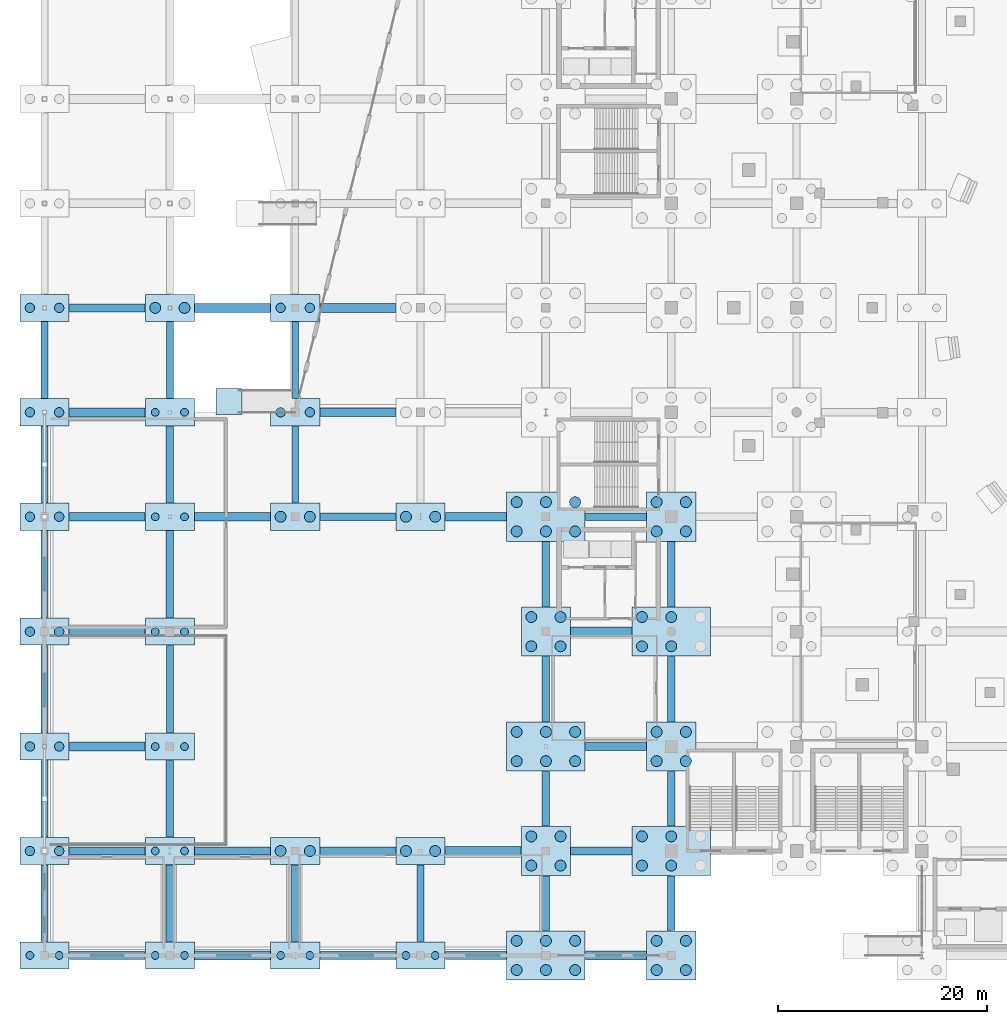
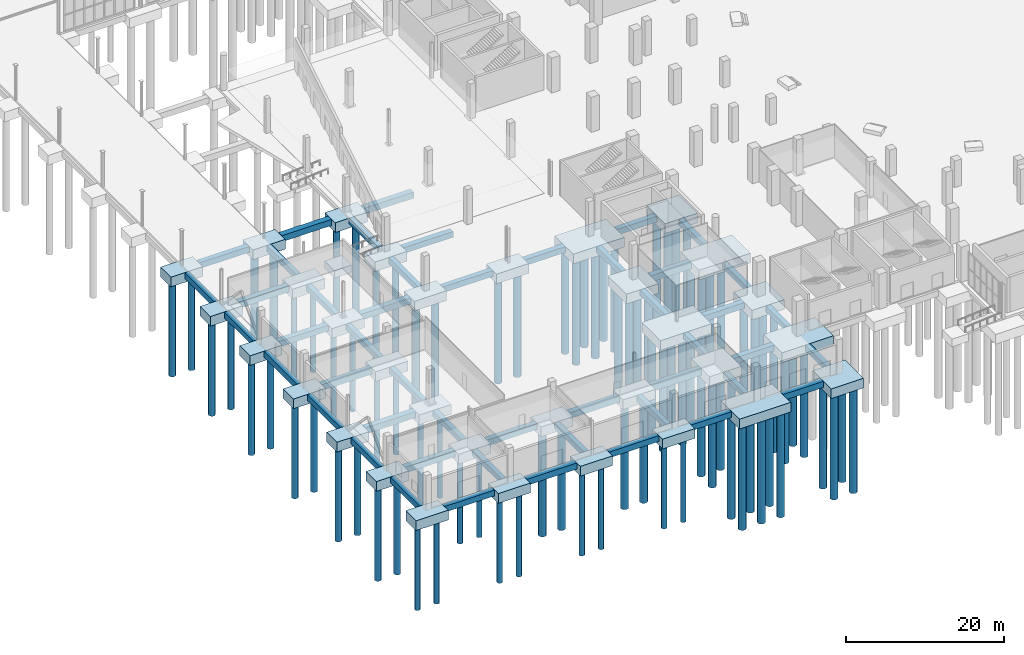
# One storey, part 1 of 70: 90 piles, 81 footings.
"""IFC4 building model written with IfcOpenShell, lengths in metres."""

from ifc_helpers import new_model, si_unit, direction, frame, origin, origin_2d, place, context, subcontext, project, spatial, rectangle, circle, extrude, material, layer, layer_set, material_profile, profile_set, type_object, element, save


model = new_model("IFC4")

# Units and contexts
model_context = context("Model", 3, precision=1e-05, world=origin(), true_north=direction((0.0, 1.0)))
body_context = subcontext(model_context, "Body", "Model", "MODEL_VIEW")
ifc_project = project(units=[si_unit("LENGTHUNIT", "METRE"), si_unit("AREAUNIT", "SQUARE_METRE"), si_unit("VOLUMEUNIT", "CUBIC_METRE"), si_unit("PLANEANGLEUNIT", "RADIAN"), si_unit("MASSUNIT", "GRAM", prefix="KILO")], contexts=[model_context])

# Site, building, storey
site_placement = place(None, origin())
site = spatial("IfcSite", under=ifc_project, at=site_placement, CompositionType="ELEMENT")
building_placement = place(site_placement, origin())
building = spatial("IfcBuilding", under=site, at=building_placement, Name="Brinegate Civic Arena", CompositionType="ELEMENT")
storey_placement = place(building_placement, origin())
storey = spatial("IfcBuildingStorey", under=building, at=storey_placement, Name="L00", CompositionType="ELEMENT", Elevation=0.0)

# Footings
ifc_material = material(Name="Concrete C40/50", Category="concrete")
ifc_layer_1 = layer(ifc_material, 1.5, Name="Concrete C40/50")
ifc_layer_set_1 = layer_set([ifc_layer_1], Name="Concrete C40/50")
footing_type_1 = type_object("IfcFootingType", Name="CAP-2PILE-3800", PredefinedType="PILE_CAP", material=ifc_layer_set_1)
for number, where, z_axis, x_axis, name in (
    (1, (0.0, 0.0, -1.800048828125), (0.0, 0.0, 1.0), (1.0, 0.0, 0.0), "Pile Cap CAP-001 (1-A)"),
    (2, (0.0, 10.0, -1.800048828125), (0.0, 0.0, 1.0), (1.0, 0.0, 0.0), "Pile Cap CAP-002 (1-B)"),
    (3, (0.0, 20.0, -1.800048828125), (0.0, 0.0, 1.0), (1.0, 0.0, 0.0), "Pile Cap CAP-003 (1-C)"),
    (4, (0.0, 31.0, -1.800048828125), (0.0, 0.0, 1.0), (1.0, 0.0, 0.0), "Pile Cap CAP-004 (1-D)"),
    (5, (0.0, 42.0, -1.800048828125), (0.0, 0.0, 1.0), (1.0, 0.0, 0.0), "Pile Cap CAP-005 (1-E)"),
    (6, (0.0, 52.0, -1.800048828125), (0.0, 0.0, 1.0), (1.0, 0.0, 0.0), "Pile Cap CAP-006 (1-F)"),
    (7, (0.0, 62.0, -1.800048828125), (0.0, 0.0, 1.0), (1.0, 0.0, 0.0), "Pile Cap CAP-007 (1-G)"),
    (8, (12.0, 0.0, -1.800048828125), (0.0, 0.0, 1.0), (1.0, 0.0, 0.0), "Pile Cap CAP-014 (2-A)"),
    (9, (12.0, 10.0, -1.800048828125), (0.0, 0.0, 1.0), (1.0, 0.0, 0.0), "Pile Cap CAP-015 (2-B)"),
    (10, (12.0, 20.0, -1.800048828125), (0.0, 0.0, 1.0), (1.0, 0.0, 0.0), "Pile Cap CAP-016 (2-C)"),
    (11, (12.0, 31.0, -1.800048828125), (0.0, 0.0, 1.0), (1.0, 0.0, 0.0), "Pile Cap CAP-017 (2-D)"),
    (12, (12.0, 42.0, -1.800048828125), (0.0, 0.0, 1.0), (1.0, 0.0, 0.0), "Pile Cap CAP-018 (2-E)"),
    (13, (12.0, 52.0, -1.800048828125), (0.0, 0.0, 1.0), (1.0, 0.0, 0.0), "Pile Cap CAP-019 (2-F)"),
    (14, (12.0, 62.0, -1.800048828125), (0.0, 0.0, 1.0), (1.0, 0.0, 0.0), "Pile Cap CAP-020 (2-G)"),
    (15, (24.0, 0.0, -1.800048828125), (0.0, 0.0, 1.0), (1.0, 0.0, 0.0), "Pile Cap CAP-027 (3-A)"),
    (16, (24.0, 10.0, -1.800048828125), (0.0, 0.0, 1.0), (1.0, 0.0, 0.0), "Pile Cap CAP-028 (3-B)"),
    (17, (24.0, 42.0, -1.800048828125), (0.0, 0.0, 1.0), (1.0, 0.0, 0.0), "Pile Cap CAP-029 (3-E)"),
    (18, (24.0, 52.0, -1.800048828125), (0.0, 0.0, 1.0), (1.0, 0.0, 0.0), "Pile Cap CAP-030 (3-F)"),
    (19, (24.0, 62.0, -1.800048828125), (0.0, 0.0, 1.0), (1.0, 0.0, 0.0), "Pile Cap CAP-031 (3-G)"),
    (20, (36.0, 0.0, -1.800048828125), (0.0, 0.0, 1.0), (1.0, 0.0, 0.0), "Pile Cap CAP-037 (4-A)"),
    (21, (36.0, 10.0, -1.800048828125), (0.0, 0.0, 1.0), (1.0, 0.0, 0.0), "Pile Cap CAP-038 (4-B)"),
    (22, (36.0, 42.0, -1.800048828125), (0.0, 0.0, 1.0), (1.0, 0.0, 0.0), "Pile Cap CAP-039 (4-E)"),
):
    element("IfcFooting", number, at=place(storey_placement, frame(where, z_axis=z_axis, x_axis=x_axis)), inside=storey, type_object=footing_type_1, Name=name, PredefinedType="PILE_CAP", context=body_context, shape_type="SweptSolid", body=[
        extrude(rectangle(XDim=4.699951171875, YDim=2.60009765625, at=origin_2d()), origin(), (0.0, 0.0, 1.0), 1.5),
    ])
ifc_layer_2 = layer(ifc_material, 1.5, Name="Concrete C40/50")
ifc_layer_set_2 = layer_set([ifc_layer_2], Name="Concrete C40/50")
footing_type_2 = type_object("IfcFootingType", Name="CAP-4PILE-3800", PredefinedType="PILE_CAP", material=ifc_layer_set_2)
for number, where, z_axis, x_axis, name in (
    (23, (48.0, 10.0, -1.800048828125), (0.0, 0.0, 1.0), (1.0, 0.0, 0.0), "Pile Cap CAP-048 (5-B)"),
    (24, (48.0, 31.0, -1.800048828125), (0.0, 0.0, 1.0), (1.0, 0.0, 0.0), "Pile Cap CAP-050 (5-D)"),
    (25, (60.0, 0.0, -1.800048828125), (0.0, 0.0, 1.0), (1.0, 0.0, 0.0), "Pile Cap CAP-060 (6-A)"),
    (26, (60.0, 20.0, -1.800048828125), (0.0, 0.0, 1.0), (1.0, 0.0, 0.0), "Pile Cap CAP-062 (6-C)"),
    (27, (60.0, 42.0, -1.800048828125), (0.0, 0.0, 1.0), (1.0, 0.0, 0.0), "Pile Cap CAP-064 (6-E)"),
):
    element("IfcFooting", number, at=place(storey_placement, frame(where, z_axis=z_axis, x_axis=x_axis)), inside=storey, type_object=footing_type_2, Name=name, PredefinedType="PILE_CAP", context=body_context, shape_type="SweptSolid", body=[
        extrude(rectangle(XDim=4.699951171875, YDim=4.699951171875, at=origin_2d()), origin(), (0.0, 0.0, 1.0), 1.5),
    ])
ifc_layer_3 = layer(ifc_material, 1.5, Name="Concrete C40/50")
ifc_layer_set_3 = layer_set([ifc_layer_3], Name="Concrete C40/50")
footing_type_3 = type_object("IfcFootingType", Name="CAP-6PILE-5400", PredefinedType="PILE_CAP", material=ifc_layer_set_3)
for number, where, z_axis, x_axis, name in (
    (28, (48.0, 0.0, -1.800048828125), (0.0, 0.0, 1.0), (1.0, 0.0, 0.0), "Pile Cap CAP-047 (5-A)"),
    (29, (48.0, 20.0, -1.800048828125), (0.0, 0.0, 1.0), (1.0, 0.0, 0.0), "Pile Cap CAP-049 (5-C)"),
    (30, (48.0, 42.0, -1.800048828125), (0.0, 0.0, 1.0), (1.0, 0.0, 0.0), "Pile Cap CAP-051 (5-E)"),
    (31, (60.0, 10.0, -1.800048828125), (0.0, 0.0, 1.0), (1.0, 0.0, 0.0), "Pile Cap CAP-061 (6-B)"),
    (32, (60.0, 31.0, -1.800048828125), (0.0, 0.0, 1.0), (1.0, 0.0, 0.0), "Pile Cap CAP-063 (6-D)"),
):
    element("IfcFooting", number, at=place(storey_placement, frame(where, z_axis=z_axis, x_axis=x_axis)), inside=storey, type_object=footing_type_3, Name=name, PredefinedType="PILE_CAP", context=body_context, shape_type="SweptSolid", body=[
        extrude(rectangle(XDim=7.5, YDim=4.699951171875, at=origin_2d()), origin(), (0.0, 0.0, 1.0), 1.5),
    ])
ifc_layer_4 = layer(ifc_material, 1.14990234375, Name="Concrete C40/50")
ifc_layer_set_4 = layer_set([ifc_layer_4], Name="Concrete C40/50")
footing_type_4 = type_object("IfcFootingType", Name="PAD-FOOT-2500", PredefinedType="PAD_FOOTING", material=ifc_layer_set_4)
footing_1_placement = place(storey_placement, frame((17.64990234375, 53.050048828125, -1.598876953125), z_axis=(0.0, 0.0, 1.0), x_axis=(1.0, 0.0, 0.0)))
element("IfcFooting", 33, at=footing_1_placement, inside=storey, type_object=footing_type_4, Name="Ramp Toe Pad Footing PAD-033", PredefinedType="PAD_FOOTING", context=body_context, shape_type="SweptSolid", body=[
    extrude(rectangle(XDim=2.5, YDim=2.5, at=origin_2d()), origin(), (0.0, 0.0, 1.0), 1.14990234375),
])

# Piles
ifc_material_profile_1 = material_profile(ifc_material, circle(Radius=0.52490234375, at=origin_2d()), Name="PILED1050")
ifc_profile_set_1 = profile_set([ifc_material_profile_1], Name="Concrete C40/50")
pile_type_1 = type_object("IfcPileType", Name="PILE-BORED-1050", PredefinedType="BORED", material=ifc_profile_set_1)
for number, where, z_axis, x_axis, name in (
    (34, (10.60009765625, 62.0, -1.699951171875), (0.0, 0.0, -1.0), (1.0, 0.0, 0.0), "Bored Socket Pile PIL-0039"),
    (35, (13.39990234375, 62.0, -1.699951171875), (0.0, 0.0, -1.0), (1.0, 0.0, 0.0), "Bored Socket Pile PIL-0040"),
    (36, (22.60009765625, 10.0, -1.699951171875), (0.0, 0.0, -1.0), (1.0, 0.0, 0.0), "Bored Socket Pile PIL-0055"),
    (37, (25.39990234375, 10.0, -1.699951171875), (0.0, 0.0, -1.0), (1.0, 0.0, 0.0), "Bored Socket Pile PIL-0056"),
    (38, (22.60009765625, 42.0, -1.699951171875), (0.0, 0.0, -1.0), (1.0, 0.0, 0.0), "Bored Socket Pile PIL-0057"),
    (39, (25.39990234375, 42.0, -1.699951171875), (0.0, 0.0, -1.0), (1.0, 0.0, 0.0), "Bored Socket Pile PIL-0058"),
    (40, (34.60009765625, 10.0, -1.699951171875), (0.0, 0.0, -1.0), (1.0, 0.0, 0.0), "Bored Socket Pile PIL-0075"),
    (41, (37.39990234375, 10.0, -1.699951171875), (0.0, 0.0, -1.0), (1.0, 0.0, 0.0), "Bored Socket Pile PIL-0076"),
    (42, (34.60009765625, 42.0, -1.699951171875), (0.0, 0.0, -1.0), (1.0, 0.0, 0.0), "Bored Socket Pile PIL-0077"),
    (43, (37.39990234375, 42.0, -1.699951171875), (0.0, 0.0, -1.0), (1.0, 0.0, 0.0), "Bored Socket Pile PIL-0078"),
    (44, (45.199951171875, -1.39990234375, -1.699951171875), (0.0, 0.0, -1.0), (1.0, 0.0, 0.0), "Bored Socket Pile PIL-0093"),
    (45, (48.0, -1.39990234375, -1.699951171875), (0.0, 0.0, -1.0), (1.0, 0.0, 0.0), "Bored Socket Pile PIL-0094"),
    (46, (50.800048828125, -1.39990234375, -1.699951171875), (0.0, 0.0, -1.0), (1.0, 0.0, 0.0), "Bored Socket Pile PIL-0095"),
    (47, (45.199951171875, 1.39990234375, -1.699951171875), (0.0, 0.0, -1.0), (1.0, 0.0, 0.0), "Bored Socket Pile PIL-0096"),
    (48, (48.0, 1.39990234375, -1.699951171875), (0.0, 0.0, -1.0), (1.0, 0.0, 0.0), "Bored Socket Pile PIL-0097"),
    (49, (50.800048828125, 1.39990234375, -1.699951171875), (0.0, 0.0, -1.0), (1.0, 0.0, 0.0), "Bored Socket Pile PIL-0098"),
    (50, (46.60009765625, 8.60009765625, -1.699951171875), (0.0, 0.0, -1.0), (1.0, 0.0, 0.0), "Bored Socket Pile PIL-0099"),
    (51, (49.39990234375, 8.60009765625, -1.699951171875), (0.0, 0.0, -1.0), (1.0, 0.0, 0.0), "Bored Socket Pile PIL-0100"),
    (52, (46.60009765625, 11.39990234375, -1.699951171875), (0.0, 0.0, -1.0), (1.0, 0.0, 0.0), "Bored Socket Pile PIL-0101"),
    (53, (49.39990234375, 11.39990234375, -1.699951171875), (0.0, 0.0, -1.0), (1.0, 0.0, 0.0), "Bored Socket Pile PIL-0102"),
    (54, (45.199951171875, 18.60009765625, -1.699951171875), (0.0, 0.0, -1.0), (1.0, 0.0, 0.0), "Bored Socket Pile PIL-0103"),
    (55, (48.0, 18.60009765625, -1.699951171875), (0.0, 0.0, -1.0), (1.0, 0.0, 0.0), "Bored Socket Pile PIL-0104"),
    (56, (50.800048828125, 18.60009765625, -1.699951171875), (0.0, 0.0, -1.0), (1.0, 0.0, 0.0), "Bored Socket Pile PIL-0105"),
    (57, (45.199951171875, 21.39990234375, -1.699951171875), (0.0, 0.0, -1.0), (1.0, 0.0, 0.0), "Bored Socket Pile PIL-0106"),
    (58, (48.0, 21.39990234375, -1.699951171875), (0.0, 0.0, -1.0), (1.0, 0.0, 0.0), "Bored Socket Pile PIL-0107"),
    (59, (50.800048828125, 21.39990234375, -1.699951171875), (0.0, 0.0, -1.0), (1.0, 0.0, 0.0), "Bored Socket Pile PIL-0108"),
    (60, (46.60009765625, 29.60009765625, -1.699951171875), (0.0, 0.0, -1.0), (1.0, 0.0, 0.0), "Bored Socket Pile PIL-0109"),
    (61, (49.39990234375, 29.60009765625, -1.699951171875), (0.0, 0.0, -1.0), (1.0, 0.0, 0.0), "Bored Socket Pile PIL-0110"),
    (62, (46.60009765625, 32.39990234375, -1.699951171875), (0.0, 0.0, -1.0), (1.0, 0.0, 0.0), "Bored Socket Pile PIL-0111"),
    (63, (49.39990234375, 32.39990234375, -1.699951171875), (0.0, 0.0, -1.0), (1.0, 0.0, 0.0), "Bored Socket Pile PIL-0112"),
    (64, (45.199951171875, 40.60009765625, -1.699951171875), (0.0, 0.0, -1.0), (1.0, 0.0, 0.0), "Bored Socket Pile PIL-0113"),
    (65, (48.0, 40.60009765625, -1.699951171875), (0.0, 0.0, -1.0), (1.0, 0.0, 0.0), "Bored Socket Pile PIL-0114"),
    (66, (50.800048828125, 40.60009765625, -1.699951171875), (0.0, 0.0, -1.0), (1.0, 0.0, 0.0), "Bored Socket Pile PIL-0115"),
    (67, (45.199951171875, 43.39990234375, -1.699951171875), (0.0, 0.0, -1.0), (1.0, 0.0, 0.0), "Bored Socket Pile PIL-0116"),
    (68, (48.0, 43.39990234375, -1.699951171875), (0.0, 0.0, -1.0), (1.0, 0.0, 0.0), "Bored Socket Pile PIL-0117"),
    (69, (50.800048828125, 43.39990234375, -1.699951171875), (0.0, 0.0, -1.0), (1.0, 0.0, 0.0), "Bored Socket Pile PIL-0118"),
    (70, (58.60009765625, -1.39990234375, -1.699951171875), (0.0, 0.0, -1.0), (1.0, 0.0, 0.0), "Bored Socket Pile PIL-0159"),
    (71, (61.39990234375, -1.39990234375, -1.699951171875), (0.0, 0.0, -1.0), (1.0, 0.0, 0.0), "Bored Socket Pile PIL-0160"),
    (72, (58.60009765625, 1.39990234375, -1.699951171875), (0.0, 0.0, -1.0), (1.0, 0.0, 0.0), "Bored Socket Pile PIL-0161"),
    (73, (61.39990234375, 1.39990234375, -1.699951171875), (0.0, 0.0, -1.0), (1.0, 0.0, 0.0), "Bored Socket Pile PIL-0162"),
    (74, (57.199951171875, 8.60009765625, -1.699951171875), (0.0, 0.0, -1.0), (1.0, 0.0, 0.0), "Bored Socket Pile PIL-0163"),
    (75, (60.0, 8.60009765625, -1.699951171875), (0.0, 0.0, -1.0), (1.0, 0.0, 0.0), "Bored Socket Pile PIL-0164"),
    (76, (57.199951171875, 11.39990234375, -1.699951171875), (0.0, 0.0, -1.0), (1.0, 0.0, 0.0), "Bored Socket Pile PIL-0166"),
    (77, (60.0, 11.39990234375, -1.699951171875), (0.0, 0.0, -1.0), (1.0, 0.0, 0.0), "Bored Socket Pile PIL-0167"),
    (78, (58.60009765625, 18.60009765625, -1.699951171875), (0.0, 0.0, -1.0), (1.0, 0.0, 0.0), "Bored Socket Pile PIL-0169"),
    (79, (61.39990234375, 18.60009765625, -1.699951171875), (0.0, 0.0, -1.0), (1.0, 0.0, 0.0), "Bored Socket Pile PIL-0170"),
    (80, (58.60009765625, 21.39990234375, -1.699951171875), (0.0, 0.0, -1.0), (1.0, 0.0, 0.0), "Bored Socket Pile PIL-0171"),
    (81, (61.39990234375, 21.39990234375, -1.699951171875), (0.0, 0.0, -1.0), (1.0, 0.0, 0.0), "Bored Socket Pile PIL-0172"),
    (82, (57.199951171875, 29.60009765625, -1.699951171875), (0.0, 0.0, -1.0), (1.0, 0.0, 0.0), "Bored Socket Pile PIL-0173"),
    (83, (60.0, 29.60009765625, -1.699951171875), (0.0, 0.0, -1.0), (1.0, 0.0, 0.0), "Bored Socket Pile PIL-0174"),
    (84, (57.199951171875, 32.39990234375, -1.699951171875), (0.0, 0.0, -1.0), (1.0, 0.0, 0.0), "Bored Socket Pile PIL-0176"),
    (85, (60.0, 32.39990234375, -1.699951171875), (0.0, 0.0, -1.0), (1.0, 0.0, 0.0), "Bored Socket Pile PIL-0177"),
    (86, (58.60009765625, 40.60009765625, -1.699951171875), (0.0, 0.0, -1.0), (1.0, 0.0, 0.0), "Bored Socket Pile PIL-0179"),
    (87, (61.39990234375, 40.60009765625, -1.699951171875), (0.0, 0.0, -1.0), (1.0, 0.0, 0.0), "Bored Socket Pile PIL-0180"),
    (88, (58.60009765625, 43.39990234375, -1.699951171875), (0.0, 0.0, -1.0), (1.0, 0.0, 0.0), "Bored Socket Pile PIL-0181"),
    (89, (61.39990234375, 43.39990234375, -1.699951171875), (0.0, 0.0, -1.0), (1.0, 0.0, 0.0), "Bored Socket Pile PIL-0182"),
):
    element("IfcPile", number, at=place(storey_placement, frame(where, z_axis=z_axis, x_axis=x_axis)), inside=storey, type_object=pile_type_1, Name=name, PredefinedType="BORED", context=body_context, shape_type="SweptSolid", body=[
        extrude(circle(Radius=0.52490234375, at=origin_2d()), origin(), (0.0, 0.0, 1.0), 16.300048828125),
    ])
ifc_material_profile_2 = material_profile(ifc_material, circle(Radius=0.375, at=origin_2d()), Name="PILED750")
ifc_profile_set_2 = profile_set([ifc_material_profile_2], Name="Concrete C40/50")
pile_type_2 = type_object("IfcPileType", Name="PILE-BORED-750", PredefinedType="BORED", material=ifc_profile_set_2)
for number, where, z_axis, x_axis, name in (
    (90, (-1.39990234375, 0.0, -1.699951171875), (0.0, 0.0, -1.0), (1.0, 0.0, 0.0), "Bored Socket Pile PIL-0001"),
    (91, (1.39990234375, 0.0, -1.699951171875), (0.0, 0.0, -1.0), (1.0, 0.0, 0.0), "Bored Socket Pile PIL-0002"),
    (92, (10.60009765625, 0.0, -1.699951171875), (0.0, 0.0, -1.0), (1.0, 0.0, 0.0), "Bored Socket Pile PIL-0027"),
    (93, (13.39990234375, 0.0, -1.699951171875), (0.0, 0.0, -1.0), (1.0, 0.0, 0.0), "Bored Socket Pile PIL-0028"),
    (94, (10.60009765625, 10.0, -1.699951171875), (0.0, 0.0, -1.0), (1.0, 0.0, 0.0), "Bored Socket Pile PIL-0029"),
    (95, (13.39990234375, 10.0, -1.699951171875), (0.0, 0.0, -1.0), (1.0, 0.0, 0.0), "Bored Socket Pile PIL-0030"),
    (96, (10.60009765625, 20.0, -1.699951171875), (0.0, 0.0, -1.0), (1.0, 0.0, 0.0), "Bored Socket Pile PIL-0031"),
    (97, (13.39990234375, 20.0, -1.699951171875), (0.0, 0.0, -1.0), (1.0, 0.0, 0.0), "Bored Socket Pile PIL-0032"),
    (98, (10.60009765625, 31.0, -1.699951171875), (0.0, 0.0, -1.0), (1.0, 0.0, 0.0), "Bored Socket Pile PIL-0033"),
    (99, (13.39990234375, 31.0, -1.699951171875), (0.0, 0.0, -1.0), (1.0, 0.0, 0.0), "Bored Socket Pile PIL-0034"),
    (100, (10.60009765625, 42.0, -1.699951171875), (0.0, 0.0, -1.0), (1.0, 0.0, 0.0), "Bored Socket Pile PIL-0035"),
    (101, (13.39990234375, 42.0, -1.699951171875), (0.0, 0.0, -1.0), (1.0, 0.0, 0.0), "Bored Socket Pile PIL-0036"),
    (102, (10.60009765625, 52.0, -1.699951171875), (0.0, 0.0, -1.0), (1.0, 0.0, 0.0), "Bored Socket Pile PIL-0037"),
    (103, (13.39990234375, 52.0, -1.699951171875), (0.0, 0.0, -1.0), (1.0, 0.0, 0.0), "Bored Socket Pile PIL-0038"),
    (104, (22.60009765625, 0.0, -1.699951171875), (0.0, 0.0, -1.0), (1.0, 0.0, 0.0), "Bored Socket Pile PIL-0053"),
    (105, (25.39990234375, 0.0, -1.699951171875), (0.0, 0.0, -1.0), (1.0, 0.0, 0.0), "Bored Socket Pile PIL-0054"),
    (106, (34.60009765625, 0.0, -1.699951171875), (0.0, 0.0, -1.0), (1.0, 0.0, 0.0), "Bored Socket Pile PIL-0073"),
    (107, (37.39990234375, 0.0, -1.699951171875), (0.0, 0.0, -1.0), (1.0, 0.0, 0.0), "Bored Socket Pile PIL-0074"),
):
    element("IfcPile", number, at=place(storey_placement, frame(where, z_axis=z_axis, x_axis=x_axis)), inside=storey, type_object=pile_type_2, Name=name, PredefinedType="BORED", context=body_context, shape_type="SweptSolid", body=[
        extrude(circle(Radius=0.375, at=origin_2d()), origin(), (0.0, 0.0, 1.0), 13.300048828125),
    ])
ifc_material_profile_3 = material_profile(ifc_material, circle(Radius=0.449951171875, at=origin_2d()), Name="PILED900")
ifc_profile_set_3 = profile_set([ifc_material_profile_3], Name="Concrete C40/50")
pile_type_3 = type_object("IfcPileType", Name="PILE-BORED-900", PredefinedType="BORED", material=ifc_profile_set_3)
for number, where, z_axis, x_axis, name in (
    (108, (-1.39990234375, 10.0, -1.699951171875), (0.0, 0.0, -1.0), (1.0, 0.0, 0.0), "Bored Socket Pile PIL-0003"),
    (109, (1.39990234375, 10.0, -1.699951171875), (0.0, 0.0, -1.0), (1.0, 0.0, 0.0), "Bored Socket Pile PIL-0004"),
    (110, (-1.39990234375, 20.0, -1.699951171875), (0.0, 0.0, -1.0), (1.0, 0.0, 0.0), "Bored Socket Pile PIL-0005"),
    (111, (1.39990234375, 20.0, -1.699951171875), (0.0, 0.0, -1.0), (1.0, 0.0, 0.0), "Bored Socket Pile PIL-0006"),
    (112, (-1.39990234375, 31.0, -1.699951171875), (0.0, 0.0, -1.0), (1.0, 0.0, 0.0), "Bored Socket Pile PIL-0007"),
    (113, (1.39990234375, 31.0, -1.699951171875), (0.0, 0.0, -1.0), (1.0, 0.0, 0.0), "Bored Socket Pile PIL-0008"),
    (114, (-1.39990234375, 42.0, -1.699951171875), (0.0, 0.0, -1.0), (1.0, 0.0, 0.0), "Bored Socket Pile PIL-0009"),
    (115, (1.39990234375, 42.0, -1.699951171875), (0.0, 0.0, -1.0), (1.0, 0.0, 0.0), "Bored Socket Pile PIL-0010"),
    (116, (-1.39990234375, 52.0, -1.699951171875), (0.0, 0.0, -1.0), (1.0, 0.0, 0.0), "Bored Socket Pile PIL-0011"),
    (117, (1.39990234375, 52.0, -1.699951171875), (0.0, 0.0, -1.0), (1.0, 0.0, 0.0), "Bored Socket Pile PIL-0012"),
    (118, (-1.39990234375, 62.0, -1.699951171875), (0.0, 0.0, -1.0), (1.0, 0.0, 0.0), "Bored Socket Pile PIL-0013"),
    (119, (1.39990234375, 62.0, -1.699951171875), (0.0, 0.0, -1.0), (1.0, 0.0, 0.0), "Bored Socket Pile PIL-0014"),
    (120, (22.60009765625, 52.0, -1.699951171875), (0.0, 0.0, -1.0), (1.0, 0.0, 0.0), "Bored Socket Pile PIL-0059"),
    (121, (25.39990234375, 52.0, -1.699951171875), (0.0, 0.0, -1.0), (1.0, 0.0, 0.0), "Bored Socket Pile PIL-0060"),
    (122, (22.60009765625, 62.0, -1.699951171875), (0.0, 0.0, -1.0), (1.0, 0.0, 0.0), "Bored Socket Pile PIL-0061"),
    (123, (25.39990234375, 62.0, -1.699951171875), (0.0, 0.0, -1.0), (1.0, 0.0, 0.0), "Bored Socket Pile PIL-0062"),
):
    element("IfcPile", number, at=place(storey_placement, frame(where, z_axis=z_axis, x_axis=x_axis)), inside=storey, type_object=pile_type_3, Name=name, PredefinedType="BORED", context=body_context, shape_type="SweptSolid", body=[
        extrude(circle(Radius=0.449951171875, at=origin_2d()), origin(), (0.0, 0.0, 1.0), 14.800048828125),
    ])

# Footings
ifc_layer_5 = layer(ifc_material, 0.89990234375, Name="Concrete C40/50")
ifc_layer_set_5 = layer_set([ifc_layer_5], Name="Concrete C40/50")
footing_type_5 = type_object("IfcFootingType", Name="TIE-BEAM-650X900", PredefinedType="FOOTING_BEAM", material=ifc_layer_set_5)
for number, where, z_axis, x_axis, name in (
    (124, (0.0, 5.0, -1.199951171875), (0.0, 0.0, 1.0), (0.0, 1.0, 0.0), "Ground Tie Beam GTB-002"),
    (125, (0.0, 15.0, -1.199951171875), (0.0, 0.0, 1.0), (0.0, 1.0, 0.0), "Ground Tie Beam GTB-004"),
):
    element("IfcFooting", number, at=place(storey_placement, frame(where, z_axis=z_axis, x_axis=x_axis)), inside=storey, type_object=footing_type_5, Name=name, PredefinedType="FOOTING_BEAM", context=body_context, shape_type="SweptSolid", body=[
        extrude(rectangle(XDim=7.360107421875, YDim=0.64990234375, at=origin_2d()), origin(), (0.0, 0.0, 1.0), 0.89990234375),
    ])
for number, where, z_axis, x_axis, name in (
    (126, (0.0, 25.5, -1.199951171875), (0.0, 0.0, 1.0), (0.0, 1.0, 0.0), "Ground Tie Beam GTB-006"),
    (127, (0.0, 36.5, -1.199951171875), (0.0, 0.0, 1.0), (0.0, 1.0, 0.0), "Ground Tie Beam GTB-008"),
):
    element("IfcFooting", number, at=place(storey_placement, frame(where, z_axis=z_axis, x_axis=x_axis)), inside=storey, type_object=footing_type_5, Name=name, PredefinedType="FOOTING_BEAM", context=body_context, shape_type="SweptSolid", body=[
        extrude(rectangle(XDim=8.360107421875, YDim=0.64990234375, at=origin_2d()), origin(), (0.0, 0.0, 1.0), 0.89990234375),
    ])
for number, where, z_axis, x_axis, name in (
    (128, (0.0, 47.0, -1.199951171875), (0.0, 0.0, 1.0), (0.0, 1.0, 0.0), "Ground Tie Beam GTB-010"),
    (129, (0.0, 57.0, -1.199951171875), (0.0, 0.0, 1.0), (0.0, 1.0, 0.0), "Ground Tie Beam GTB-012"),
):
    element("IfcFooting", number, at=place(storey_placement, frame(where, z_axis=z_axis, x_axis=x_axis)), inside=storey, type_object=footing_type_5, Name=name, PredefinedType="FOOTING_BEAM", context=body_context, shape_type="SweptSolid", body=[
        extrude(rectangle(XDim=7.360107421875, YDim=0.64990234375, at=origin_2d()), origin(), (0.0, 0.0, 1.0), 0.89990234375),
    ])
footing_2_placement = place(storey_placement, frame((12.0, 25.5, -1.199951171875), z_axis=(0.0, 0.0, 1.0), x_axis=(0.0, 1.0, 0.0)))
element("IfcFooting", 130, at=footing_2_placement, inside=storey, type_object=footing_type_5, Name="Ground Tie Beam GTB-030", PredefinedType="FOOTING_BEAM", context=body_context, shape_type="SweptSolid", body=[
    extrude(rectangle(XDim=8.360107421875, YDim=0.64990234375, at=origin_2d()), origin(), (0.0, 0.0, 1.0), 0.89990234375),
])
for number, where, z_axis, x_axis, name in (
    (131, (12.0, 57.0, -1.199951171875), (0.0, 0.0, 1.0), (0.0, 1.0, 0.0), "Ground Tie Beam GTB-034"),
    (132, (24.0, 47.0, -1.199951171875), (0.0, 0.0, 1.0), (0.0, 1.0, 0.0), "Ground Tie Beam GTB-050"),
    (133, (24.0, 57.0, -1.199951171875), (0.0, 0.0, 1.0), (0.0, 1.0, 0.0), "Ground Tie Beam GTB-052"),
    (134, (36.0, 5.0, -1.199951171875), (0.0, 0.0, 1.0), (0.0, 1.0, 0.0), "Ground Tie Beam GTB-064"),
):
    element("IfcFooting", number, at=place(storey_placement, frame(where, z_axis=z_axis, x_axis=x_axis)), inside=storey, type_object=footing_type_5, Name=name, PredefinedType="FOOTING_BEAM", context=body_context, shape_type="SweptSolid", body=[
        extrude(rectangle(XDim=7.360107421875, YDim=0.64990234375, at=origin_2d()), origin(), (0.0, 0.0, 1.0), 0.89990234375),
    ])
ifc_layer_6 = layer(ifc_material, 0.85009765625, Name="Concrete C40/50")
ifc_layer_set_6 = layer_set([ifc_layer_6], Name="Concrete C40/50")
footing_type_6 = type_object("IfcFootingType", Name="TIE-BEAM-700X850", PredefinedType="FOOTING_BEAM", material=ifc_layer_set_6)
for number, where, z_axis, x_axis, name in (
    (135, (12.0, 5.0, -1.175048828125), (0.0, 0.0, 1.0), (0.0, 1.0, 0.0), "Ground Tie Beam GTB-027"),
    (136, (12.0, 15.0, -1.175048828125), (0.0, 0.0, 1.0), (0.0, 1.0, 0.0), "Ground Tie Beam GTB-029"),
):
    element("IfcFooting", number, at=place(storey_placement, frame(where, z_axis=z_axis, x_axis=x_axis)), inside=storey, type_object=footing_type_6, Name=name, PredefinedType="FOOTING_BEAM", context=body_context, shape_type="SweptSolid", body=[
        extrude(rectangle(XDim=7.360107421875, YDim=0.699951171875, at=origin_2d()), origin(), (0.0, 0.0, 1.0), 0.85009765625),
    ])
footing_3_placement = place(storey_placement, frame((12.0, 36.5, -1.175048828125), z_axis=(0.0, 0.0, 1.0), x_axis=(0.0, 1.0, 0.0)))
element("IfcFooting", 137, at=footing_3_placement, inside=storey, type_object=footing_type_6, Name="Ground Tie Beam GTB-031", PredefinedType="FOOTING_BEAM", context=body_context, shape_type="SweptSolid", body=[
    extrude(rectangle(XDim=8.360107421875, YDim=0.699951171875, at=origin_2d()), origin(), (0.0, 0.0, 1.0), 0.85009765625),
])
for number, where, z_axis, x_axis, name in (
    (138, (12.0, 47.0, -1.175048828125), (0.0, 0.0, 1.0), (0.0, 1.0, 0.0), "Ground Tie Beam GTB-033"),
    (139, (24.0, 5.0, -1.175048828125), (0.0, 0.0, 1.0), (0.0, 1.0, 0.0), "Ground Tie Beam GTB-047"),
):
    element("IfcFooting", number, at=place(storey_placement, frame(where, z_axis=z_axis, x_axis=x_axis)), inside=storey, type_object=footing_type_6, Name=name, PredefinedType="FOOTING_BEAM", context=body_context, shape_type="SweptSolid", body=[
        extrude(rectangle(XDim=7.360107421875, YDim=0.699951171875, at=origin_2d()), origin(), (0.0, 0.0, 1.0), 0.85009765625),
    ])
for number, where, z_axis, x_axis, name in (
    (140, (48.0, 5.0, -1.175048828125), (0.0, 0.0, 1.0), (0.0, 1.0, 0.0), "Ground Tie Beam GTB-081"),
    (141, (48.0, 15.0, -1.175048828125), (0.0, 0.0, 1.0), (0.0, 1.0, 0.0), "Ground Tie Beam GTB-083"),
):
    element("IfcFooting", number, at=place(storey_placement, frame(where, z_axis=z_axis, x_axis=x_axis)), inside=storey, type_object=footing_type_6, Name=name, PredefinedType="FOOTING_BEAM", context=body_context, shape_type="SweptSolid", body=[
        extrude(rectangle(XDim=5.260009765625, YDim=0.699951171875, at=origin_2d()), origin(), (0.0, 0.0, 1.0), 0.85009765625),
    ])
for number, where, z_axis, x_axis, name in (
    (142, (48.0, 25.5, -1.175048828125), (0.0, 0.0, 1.0), (0.0, 1.0, 0.0), "Ground Tie Beam GTB-085"),
    (143, (48.0, 36.5, -1.175048828125), (0.0, 0.0, 1.0), (0.0, 1.0, 0.0), "Ground Tie Beam GTB-087"),
):
    element("IfcFooting", number, at=place(storey_placement, frame(where, z_axis=z_axis, x_axis=x_axis)), inside=storey, type_object=footing_type_6, Name=name, PredefinedType="FOOTING_BEAM", context=body_context, shape_type="SweptSolid", body=[
        extrude(rectangle(XDim=6.260009765625, YDim=0.699951171875, at=origin_2d()), origin(), (0.0, 0.0, 1.0), 0.85009765625),
    ])
for number, where, z_axis, x_axis, name in (
    (144, (60.0, 5.0, -1.175048828125), (0.0, 0.0, 1.0), (0.0, 1.0, 0.0), "Ground Tie Beam GTB-105"),
    (145, (60.0, 15.0, -1.175048828125), (0.0, 0.0, 1.0), (0.0, 1.0, 0.0), "Ground Tie Beam GTB-107"),
):
    element("IfcFooting", number, at=place(storey_placement, frame(where, z_axis=z_axis, x_axis=x_axis)), inside=storey, type_object=footing_type_6, Name=name, PredefinedType="FOOTING_BEAM", context=body_context, shape_type="SweptSolid", body=[
        extrude(rectangle(XDim=5.260009765625, YDim=0.699951171875, at=origin_2d()), origin(), (0.0, 0.0, 1.0), 0.85009765625),
    ])
for number, where, z_axis, x_axis, name in (
    (146, (60.0, 25.5, -1.175048828125), (0.0, 0.0, 1.0), (0.0, 1.0, 0.0), "Ground Tie Beam GTB-109"),
    (147, (60.0, 36.5, -1.175048828125), (0.0, 0.0, 1.0), (0.0, 1.0, 0.0), "Ground Tie Beam GTB-111"),
):
    element("IfcFooting", number, at=place(storey_placement, frame(where, z_axis=z_axis, x_axis=x_axis)), inside=storey, type_object=footing_type_6, Name=name, PredefinedType="FOOTING_BEAM", context=body_context, shape_type="SweptSolid", body=[
        extrude(rectangle(XDim=6.260009765625, YDim=0.699951171875, at=origin_2d()), origin(), (0.0, 0.0, 1.0), 0.85009765625),
    ])
ifc_layer_7 = layer(ifc_material, 0.89990234375, Name="Concrete C40/50")
ifc_layer_set_7 = layer_set([ifc_layer_7], Name="Concrete C40/50")
footing_type_7 = type_object("IfcFootingType", Name="TIE-BEAM-750X900", PredefinedType="FOOTING_BEAM", material=ifc_layer_set_7)
for number, where, z_axis, x_axis, name in (
    (148, (6.0, 0.0, -1.199951171875), (0.0, 0.0, 1.0), (1.0, 0.0, 0.0), "Ground Tie Beam GTB-001"),
    (149, (6.0, 31.0, -1.199951171875), (0.0, 0.0, 1.0), (1.0, 0.0, 0.0), "Ground Tie Beam GTB-007"),
    (150, (6.0, 62.0, -1.199951171875), (0.0, 0.0, 1.0), (1.0, 0.0, 0.0), "Ground Tie Beam GTB-013"),
    (151, (18.0, 10.0, -1.199951171875), (0.0, 0.0, 1.0), (1.0, 0.0, 0.0), "Ground Tie Beam GTB-028"),
    (152, (30.0, 0.0, -1.199951171875), (0.0, 0.0, 1.0), (1.0, 0.0, 0.0), "Ground Tie Beam GTB-046"),
    (153, (30.0, 42.0, -1.199951171875), (0.0, 0.0, 1.0), (1.0, 0.0, 0.0), "Ground Tie Beam GTB-049"),
):
    element("IfcFooting", number, at=place(storey_placement, frame(where, z_axis=z_axis, x_axis=x_axis)), inside=storey, type_object=footing_type_7, Name=name, PredefinedType="FOOTING_BEAM", context=body_context, shape_type="SweptSolid", body=[
        extrude(rectangle(XDim=7.260009765625, YDim=0.75, at=origin_2d()), origin(), (0.0, 0.0, 1.0), 0.89990234375),
    ])
for number, where, z_axis, x_axis, name in (
    (154, (53.300048828125, 10.0, -1.199951171875), (0.0, 0.0, 1.0), (1.0, 0.0, 0.0), "Ground Tie Beam GTB-082"),
    (155, (54.699951171875, 42.0, -1.199951171875), (0.0, 0.0, 1.0), (1.0, 0.0, 0.0), "Ground Tie Beam GTB-088"),
):
    element("IfcFooting", number, at=place(storey_placement, frame(where, z_axis=z_axis, x_axis=x_axis)), inside=storey, type_object=footing_type_7, Name=name, PredefinedType="FOOTING_BEAM", context=body_context, shape_type="SweptSolid", body=[
        extrude(rectangle(XDim=5.860107421875, YDim=0.75, at=origin_2d()), origin(), (0.0, 0.0, 1.0), 0.89990234375),
    ])
ifc_layer_8 = layer(ifc_material, 0.89990234375, Name="Concrete C40/50")
ifc_layer_set_8 = layer_set([ifc_layer_8], Name="Concrete C40/50")
footing_type_8 = type_object("IfcFootingType", Name="TIE-BEAM-800X900", PredefinedType="FOOTING_BEAM", material=ifc_layer_set_8)
for number, where, z_axis, x_axis, name in (
    (156, (6.0, 10.0, -1.199951171875), (0.0, 0.0, 1.0), (1.0, 0.0, 0.0), "Ground Tie Beam GTB-003"),
    (157, (6.0, 42.0, -1.199951171875), (0.0, 0.0, 1.0), (1.0, 0.0, 0.0), "Ground Tie Beam GTB-009"),
    (158, (30.0, 10.0, -1.199951171875), (0.0, 0.0, 1.0), (1.0, 0.0, 0.0), "Ground Tie Beam GTB-048"),
    (159, (30.0, 52.0, -1.199951171875), (0.0, 0.0, 1.0), (1.0, 0.0, 0.0), "Ground Tie Beam GTB-051"),
):
    element("IfcFooting", number, at=place(storey_placement, frame(where, z_axis=z_axis, x_axis=x_axis)), inside=storey, type_object=footing_type_8, Name=name, PredefinedType="FOOTING_BEAM", context=body_context, shape_type="SweptSolid", body=[
        extrude(rectangle(XDim=7.260009765625, YDim=0.800048828125, at=origin_2d()), origin(), (0.0, 0.0, 1.0), 0.89990234375),
    ])
for number, where, z_axis, x_axis, name in (
    (160, (41.300048828125, 0.0, -1.199951171875), (0.0, 0.0, 1.0), (1.0, 0.0, 0.0), "Ground Tie Beam GTB-063"),
    (161, (41.300048828125, 42.0, -1.199951171875), (0.0, 0.0, 1.0), (1.0, 0.0, 0.0), "Ground Tie Beam GTB-066"),
    (162, (54.699951171875, 20.0, -1.199951171875), (0.0, 0.0, 1.0), (1.0, 0.0, 0.0), "Ground Tie Beam GTB-084"),
):
    element("IfcFooting", number, at=place(storey_placement, frame(where, z_axis=z_axis, x_axis=x_axis)), inside=storey, type_object=footing_type_8, Name=name, PredefinedType="FOOTING_BEAM", context=body_context, shape_type="SweptSolid", body=[
        extrude(rectangle(XDim=5.860107421875, YDim=0.800048828125, at=origin_2d()), origin(), (0.0, 0.0, 1.0), 0.89990234375),
    ])
ifc_layer_9 = layer(ifc_material, 0.949951171875, Name="Concrete C40/50")
ifc_layer_set_9 = layer_set([ifc_layer_9], Name="Concrete C40/50")
footing_type_9 = type_object("IfcFootingType", Name="TIE-BEAM-850X950", PredefinedType="FOOTING_BEAM", material=ifc_layer_set_9)
for number, where, z_axis, x_axis, name in (
    (163, (6.0, 20.0, -1.22509765625), (0.0, 0.0, 1.0), (1.0, 0.0, 0.0), "Ground Tie Beam GTB-005"),
    (164, (6.0, 52.0, -1.22509765625), (0.0, 0.0, 1.0), (1.0, 0.0, 0.0), "Ground Tie Beam GTB-011"),
    (165, (18.0, 0.0, -1.22509765625), (0.0, 0.0, 1.0), (1.0, 0.0, 0.0), "Ground Tie Beam GTB-026"),
    (166, (18.0, 42.0, -1.22509765625), (0.0, 0.0, 1.0), (1.0, 0.0, 0.0), "Ground Tie Beam GTB-032"),
    (167, (18.0, 62.0, -1.22509765625), (0.0, 0.0, 1.0), (1.0, 0.0, 0.0), "Ground Tie Beam GTB-035"),
    (168, (30.0, 62.0, -1.22509765625), (0.0, 0.0, 1.0), (1.0, 0.0, 0.0), "Ground Tie Beam GTB-053"),
    (169, (42.0, 10.0, -1.22509765625), (0.0, 0.0, 1.0), (1.0, 0.0, 0.0), "Ground Tie Beam GTB-065"),
):
    element("IfcFooting", number, at=place(storey_placement, frame(where, z_axis=z_axis, x_axis=x_axis)), inside=storey, type_object=footing_type_9, Name=name, PredefinedType="FOOTING_BEAM", context=body_context, shape_type="SweptSolid", body=[
        extrude(rectangle(XDim=7.260009765625, YDim=0.85009765625, at=origin_2d()), origin(), (0.0, 0.0, 1.0), 0.949951171875),
    ])
for number, where, z_axis, x_axis, name in (
    (170, (54.699951171875, 0.0, -1.22509765625), (0.0, 0.0, 1.0), (1.0, 0.0, 0.0), "Ground Tie Beam GTB-080"),
    (171, (53.300048828125, 31.0, -1.22509765625), (0.0, 0.0, 1.0), (1.0, 0.0, 0.0), "Ground Tie Beam GTB-086"),
):
    element("IfcFooting", number, at=place(storey_placement, frame(where, z_axis=z_axis, x_axis=x_axis)), inside=storey, type_object=footing_type_9, Name=name, PredefinedType="FOOTING_BEAM", context=body_context, shape_type="SweptSolid", body=[
        extrude(rectangle(XDim=5.860107421875, YDim=0.85009765625, at=origin_2d()), origin(), (0.0, 0.0, 1.0), 0.949951171875),
    ])

save(model, "model.ifc")
